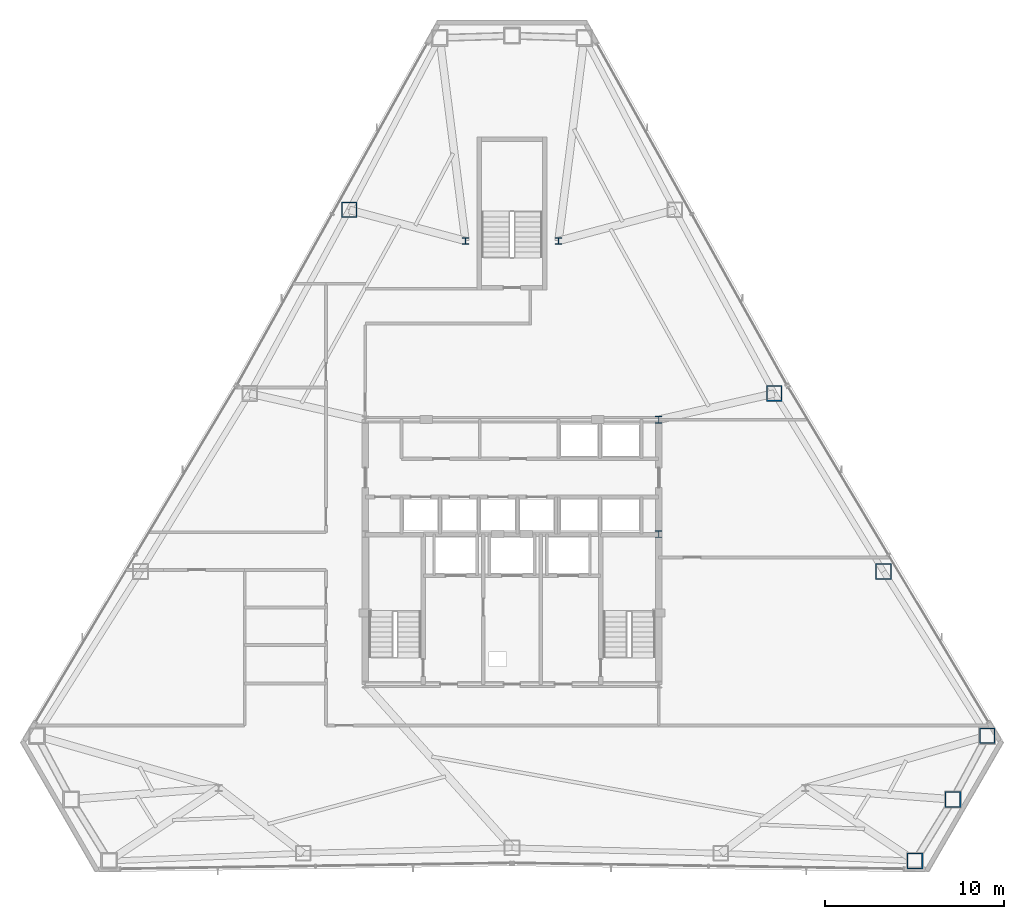
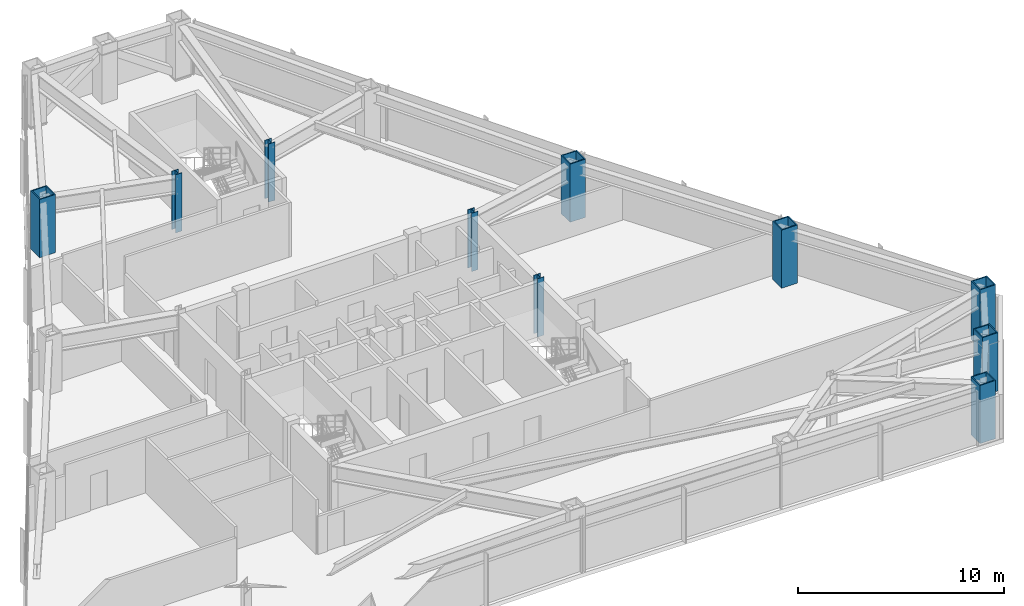
# One storey, part 2 of 11: 10 columns.
"""IFC4 building model written with IfcOpenShell, lengths in metres."""

from ifc_helpers import new_model, si_unit, direction, frame, origin, origin_2d, place, context, subcontext, project, spatial, hollow_rectangle, i_section, extrude, material, material_profile, profile_set, type_object, element, save


model = new_model("IFC4")

# Units and contexts
model_context = context("Model", 3, precision=1e-05, world=origin(), true_north=direction((0.0, 1.0)))
body_context = subcontext(model_context, "Body", "Model", "MODEL_VIEW")
ifc_project = project(units=[si_unit("LENGTHUNIT", "METRE"), si_unit("AREAUNIT", "SQUARE_METRE"), si_unit("VOLUMEUNIT", "CUBIC_METRE"), si_unit("PLANEANGLEUNIT", "RADIAN"), si_unit("MASSUNIT", "GRAM", prefix="KILO")], contexts=[model_context])

# Site, building, storey
site_placement = place(None, origin())
site = spatial("IfcSite", under=ifc_project, at=site_placement, CompositionType="ELEMENT")
building_placement = place(site_placement, origin())
building = spatial("IfcBuilding", under=site, at=building_placement, Name="Varakhsha Concourse Tower", CompositionType="ELEMENT")
storey_placement = place(building_placement, frame((0.0, 0.0, 140.14990234375)))
storey = spatial("IfcBuildingStorey", under=building, at=storey_placement, Name="L40", CompositionType="ELEMENT", Elevation=140.14990234375)

# Columns
ifc_material_1 = material(Name="Structural Steel ASTM A992 Grade 50", Category="steel")
ifc_material_profile_1 = material_profile(ifc_material_1, i_section(OverallWidth=0.3740234375, OverallDepth=0.3720703125, WebThickness=0.01611328125, FlangeThickness=0.02587890625, at=origin_2d()), Name="W14X132")
ifc_profile_set_1 = profile_set([ifc_material_profile_1], Name="Structural Steel ASTM A992 Grade 50")
column_type_1 = type_object("IfcColumnType", Name="CL-CORE-W14X132", PredefinedType="COLUMN", material=ifc_profile_set_1)
for number, where, z_axis, x_axis, name in (
    (1, (48.199951171875, 24.800048828125, 0.0), (0.0, 0.0, 1.0), (1.0, 0.0, 0.0), "L40 Core Column CC-ME"),
    (2, (48.199951171875, 31.199951171875, 0.0), (0.0, 0.0, 1.0), (1.0, 0.0, 0.0), "L40 Core Column CC-NE"),
    (3, (37.39990234375, 41.199951171875, 0.0), (0.0, 0.0, 1.0), (1.0, 0.0, 0.0), "L40 Core Column NS-W"),
    (4, (42.60009765625, 41.199951171875, 0.0), (0.0, 0.0, 1.0), (1.0, 0.0, 0.0), "L40 Core Column NS-E"),
):
    element("IfcColumn", number, at=place(storey_placement, frame(where, z_axis=z_axis, x_axis=x_axis)), inside=storey, type_object=column_type_1, Name=name, PredefinedType="COLUMN", context=body_context, shape_type="SweptSolid", body=[
        extrude(i_section(OverallWidth=0.3740234375, OverallDepth=0.3720703125, WebThickness=0.01611328125, FlangeThickness=0.02587890625, at=origin_2d()), origin(), (0.0, 0.0, 1.0), 3.4501953125),
    ])
ifc_material_2 = material(Name="Structural Steel ASTM A572 Grade 50", Category="steel")
ifc_material_profile_2 = material_profile(ifc_material_2, hollow_rectangle(XDim=0.8798828125, YDim=0.8798828125, WallThickness=0.06005859375, at=origin_2d()), Name="BOX 880x880x60")
ifc_profile_set_2 = profile_set([ifc_material_profile_2], Name="Structural Steel ASTM A572 Grade 50")
column_type_2 = type_object("IfcColumnType", Name="CL-TUBE-880", PredefinedType="COLUMN", material=ifc_profile_set_2)
for number, where, z_axis, x_axis, name in (
    (5, (30.90380859375, 42.933837890625, 0.0), (0.0, 0.0, 1.0), (1.0, 0.0, 0.0), "L40 Framed-Tube Column TC04"),
    (6, (62.52880859375, 6.524658203125, 0.0), (0.0, 0.0, 1.0), (1.0, 0.0, 0.0), "L40 Framed-Tube Column TC13"),
    (7, (64.65576171875, 9.96484375, 0.0), (0.0, 0.0, 1.0), (1.0, 0.0, 0.0), "L40 Framed-Tube Column TC14"),
    (8, (66.57177734375, 13.527099609375, 0.0), (0.0, 0.0, 1.0), (1.0, 0.0, 0.0), "L40 Framed-Tube Column TC15"),
    (9, (60.77197265625, 22.710693359375, 0.0), (0.0, 0.0, 1.0), (1.0, 0.0, 0.0), "L40 Framed-Tube Column TC16"),
    (10, (54.66748046875, 32.668212890625, 0.0), (0.0, 0.0, 1.0), (1.0, 0.0, 0.0), "L40 Framed-Tube Column TC17"),
):
    element("IfcColumn", number, at=place(storey_placement, frame(where, z_axis=z_axis, x_axis=x_axis)), inside=storey, type_object=column_type_2, Name=name, PredefinedType="COLUMN", context=body_context, shape_type="SweptSolid", body=[
        extrude(hollow_rectangle(XDim=0.8798828125, YDim=0.8798828125, WallThickness=0.06005859375, at=origin_2d()), origin(), (0.0, 0.0, 1.0), 3.4501953125),
    ])

save(model, "model.ifc")
